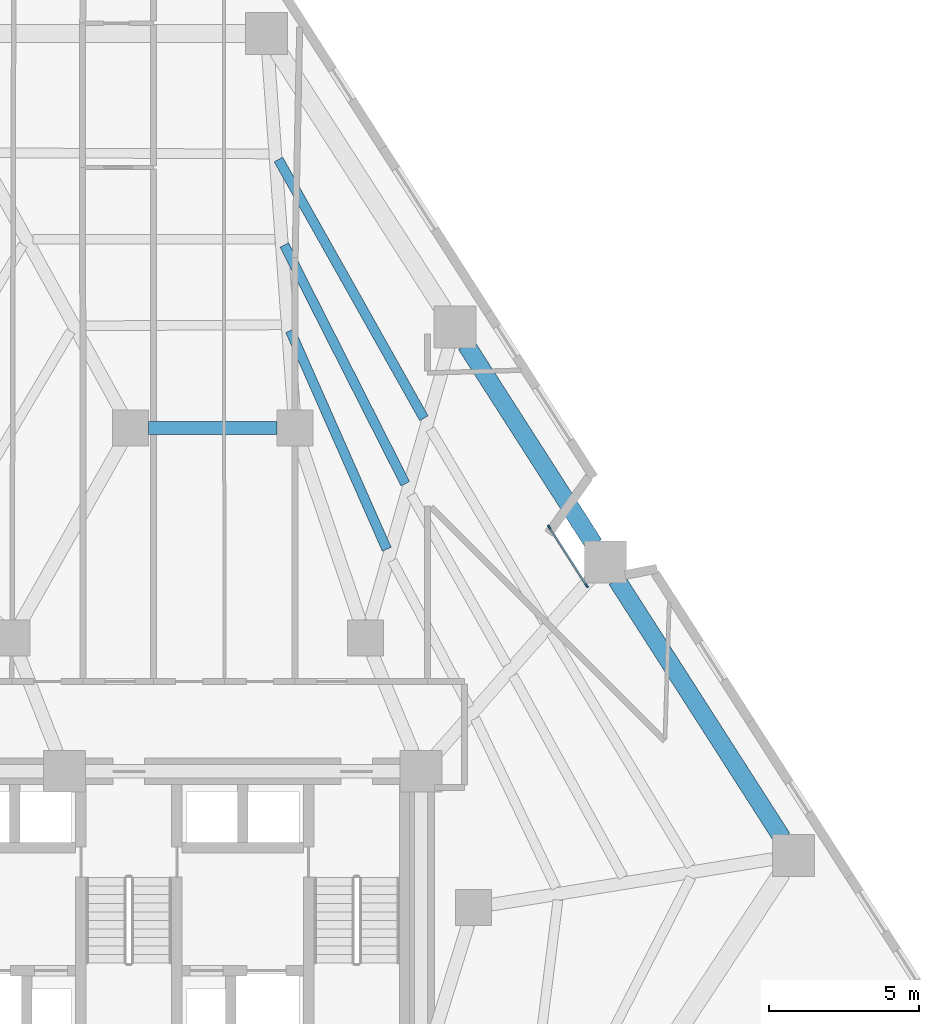
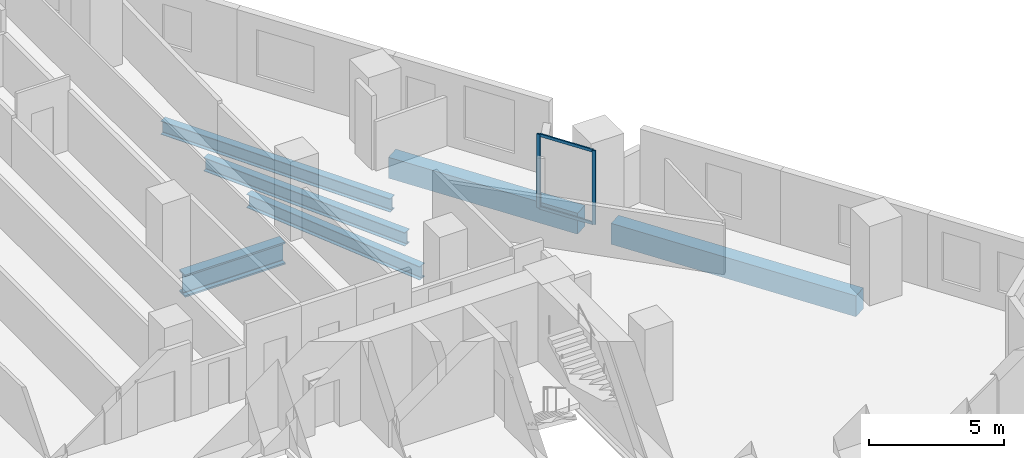
# One storey, part 5 of 14: 6 beams, 4 members, 1 element without a shape of its own.
"""IFC4 building model written with IfcOpenShell, lengths in metres."""

from ifc_helpers import new_model, si_unit, direction, frame, origin, origin_2d, place, context, subcontext, project, spatial, rectangle, i_section, extrude, material, layer, layer_set, material_profile, profile_set, type_object, element, aggregate, save


model = new_model("IFC4")

# Units and contexts
model_context = context("Model", 3, precision=1e-05, world=origin(), true_north=direction((0.0, 1.0)))
body_context = subcontext(model_context, "Body", "Model", "MODEL_VIEW")
ifc_project = project(units=[si_unit("LENGTHUNIT", "METRE"), si_unit("AREAUNIT", "SQUARE_METRE"), si_unit("VOLUMEUNIT", "CUBIC_METRE"), si_unit("PLANEANGLEUNIT", "RADIAN"), si_unit("MASSUNIT", "GRAM", prefix="KILO")], contexts=[model_context])

# Site, building, storey
site_placement = place(None, origin())
site = spatial("IfcSite", under=ifc_project, at=site_placement, CompositionType="ELEMENT")
building_placement = place(site_placement, origin())
building = spatial("IfcBuilding", under=site, at=building_placement, Name="Almagre Mirador Tower", CompositionType="ELEMENT")
storey_placement = place(building_placement, frame((0.0, 0.0, 35.39990234375)))
storey = spatial("IfcBuildingStorey", under=building, at=storey_placement, Name="L07", CompositionType="ELEMENT", Elevation=35.39990234375)

# Beams
ifc_material_1 = material(Name="Steel ASTM A992 Grade 50", Category="steel")
ifc_material_profile_1 = material_profile(ifc_material_1, i_section(OverallWidth=0.323974609375, OverallDepth=0.611083984375, WebThickness=0.0126953125, FlangeThickness=0.01904296875, FilletRadius=0.02001953125, at=origin_2d()), Name="W24X104")
ifc_profile_set_1 = profile_set([ifc_material_profile_1], Name="Steel ASTM A992 Grade 50")
beam_type_1 = type_object("IfcBeamType", Name="BM-JST-W24X104", PredefinedType="JOIST", material=ifc_profile_set_1)
beam_1_placement = place(storey_placement, frame((47.1474609375, 26.530517578125, -0.555419921875), z_axis=(-0.490114956937, 0.871657804982, 0.0), x_axis=(-0.871657804982, -0.490114956937, 0.0)))
element("IfcBeam", 1, at=beam_1_placement, inside=storey, type_object=beam_type_1, Name="L07 secondary floor joist PC07-PC08.1", PredefinedType="JOIST", context=body_context, shape_type="SweptSolid", body=[
    extrude(i_section(OverallWidth=0.323974609375, OverallDepth=0.611083984375, WebThickness=0.0126953125, FlangeThickness=0.01904296875, FilletRadius=0.02001953125, at=origin_2d()), origin(), (0.0, 0.0, 1.0), 9.9052734375),
])
beam_2_placement = place(storey_placement, frame((46.527099609375, 24.34521484375, -0.555419921875), z_axis=(-0.452062838937, 0.891986092746, 0.0), x_axis=(-0.891986092746, -0.452062838937, 0.0)))
element("IfcBeam", 2, at=beam_2_placement, inside=storey, type_object=beam_type_1, Name="L07 secondary floor joist PC07-PC08.2", PredefinedType="JOIST", context=body_context, shape_type="SweptSolid", body=[
    extrude(i_section(OverallWidth=0.323974609375, OverallDepth=0.611083984375, WebThickness=0.0126953125, FlangeThickness=0.01904296875, FilletRadius=0.02001953125, at=origin_2d()), origin(), (0.0, 0.0, 1.0), 8.929443359375),
])
beam_3_placement = place(storey_placement, frame((45.908447265625, 22.160400390625, -0.555419921875), z_axis=(-0.404038153037, 0.914742133549, 0.0), x_axis=(-0.914742133549, -0.404038153037, 0.0)))
element("IfcBeam", 3, at=beam_3_placement, inside=storey, type_object=beam_type_1, Name="L07 secondary floor joist PC07-PC08.3", PredefinedType="JOIST", context=body_context, shape_type="SweptSolid", body=[
    extrude(i_section(OverallWidth=0.323974609375, OverallDepth=0.611083984375, WebThickness=0.0126953125, FlangeThickness=0.01904296875, FilletRadius=0.02001953125, at=origin_2d()), origin(), (0.0, 0.0, 1.0), 7.974365234375),
])
ifc_material_2 = material(Name="Precast concrete C50/60", Category="concrete")
ifc_material_profile_2 = material_profile(ifc_material_2, rectangle(XDim=0.60009765625, YDim=0.949951171875, at=origin_2d()), Name="RC600X950")
ifc_profile_set_2 = profile_set([ifc_material_profile_2], Name="Precast concrete C50/60")
beam_type_2 = type_object("IfcBeamType", Name="BM-SPN-RC600X950", PredefinedType="SPANDREL", material=ifc_profile_set_2)
beam_4_placement = place(storey_placement, frame((59.104248046875, 12.5224609375, -0.724853515625), z_axis=(-0.539549548581, 0.841953849463, 0.0), x_axis=(-0.841953849463, -0.539549548581, 0.0)))
element("IfcBeam", 4, at=beam_4_placement, inside=storey, type_object=beam_type_2, Name="L07 perimeter spandrel beam PC05-PC06", PredefinedType="SPANDREL", context=body_context, shape_type="SweptSolid", body=[
    extrude(rectangle(XDim=0.60009765625, YDim=0.949951171875, at=origin_2d()), origin(), (0.0, 0.0, 1.0), 10.239501953125),
])
beam_5_placement = place(storey_placement, frame((52.82421875, 22.322509765625, -0.724853515625), z_axis=(-0.539540486584, 0.841959656597, 0.0), x_axis=(-0.841959656597, -0.539540486584, 0.0)))
element("IfcBeam", 5, at=beam_5_placement, inside=storey, type_object=beam_type_2, Name="L07 perimeter spandrel beam PC06-PC07", PredefinedType="SPANDREL", context=body_context, shape_type="SweptSolid", body=[
    extrude(rectangle(XDim=0.60009765625, YDim=0.949951171875, at=origin_2d()), origin(), (0.0, 0.0, 1.0), 7.911376953125),
])
ifc_material_3 = material(Name="Steel ASTM A992 Grade 50", Category="steel")
ifc_material_profile_3 = material_profile(ifc_material_3, i_section(OverallWidth=0.43701171875, OverallDepth=1.010986328125, WebThickness=0.041015625, FlangeThickness=0.073974609375, FilletRadius=0.028076171875, at=origin_2d()), Name="W36X529")
ifc_profile_set_3 = profile_set([ifc_material_profile_3], Name="Steel ASTM A992 Grade 50")
beam_type_3 = type_object("IfcBeamType", Name="BM-STL-W36X529", PredefinedType="BEAM", material=ifc_profile_set_3)
beam_6_placement = place(storey_placement, frame((37.949951171875, 26.199951171875, -0.75537109375), z_axis=(1.0, 0.0, 0.0), x_axis=(0.0, 1.0, 0.0)))
element("IfcBeam", 6, at=beam_6_placement, inside=storey, type_object=beam_type_3, Name="L07 core tie girder MC7-MC6", PredefinedType="BEAM", context=body_context, shape_type="SweptSolid", body=[
    extrude(i_section(OverallWidth=0.43701171875, OverallDepth=1.010986328125, WebThickness=0.041015625, FlangeThickness=0.073974609375, FilletRadius=0.028076171875, at=origin_2d()), origin(), (0.0, 0.0, 1.0), 4.300048828125),
])

# Curtain wall, members
ifc_material_4 = material(Name="Black anodized aluminium", Category="aluminium")
ifc_layer = layer(ifc_material_4, 0.169921875)
ifc_layer_set = layer_set([ifc_layer], Name="Black anodized aluminium")
curtain_wall_type = type_object("IfcCurtainWallType", Name="CW-CRS-SYS", PredefinedType="NOTDEFINED", material=ifc_layer_set)
curtain_wall_placement = place(storey_placement, origin())
curtain_wall = element("IfcCurtainWall", 7, at=curtain_wall_placement, inside=storey, type_object=curtain_wall_type, Name="L07 vertical crease curtain wall 03", PredefinedType="NOTDEFINED")
ifc_material_5 = material(Name="Black anodized aluminium", Category="aluminium")
ifc_material_profile_4 = material_profile(ifc_material_5, rectangle(XDim=0.06005859375, YDim=0.14990234375, at=origin_2d()), Name="CWM60X150")
ifc_profile_set_4 = profile_set([ifc_material_profile_4], Name="Black anodized aluminium")
member_type_1 = type_object("IfcMemberType", Name="MBR-CWM60X150", PredefinedType="MULLION", material=ifc_profile_set_4)
member_1_placement = place(storey_placement, frame((51.32958984375, 22.892578125, 0.0), z_axis=(0.0, 0.0, 1.0), x_axis=(0.841762109764, 0.539848636718, 0.0)))
member_1 = element("IfcMember", 8, at=member_1_placement, type_object=member_type_1, Name="CW-4 mullion 1", PredefinedType="MULLION", context=body_context, shape_type="SweptSolid", body=[
    extrude(rectangle(XDim=0.06005859375, YDim=0.14990234375, at=origin_2d()), origin(), (0.0, 0.0, 1.0), 3.35009765625),
])
member_2_placement = place(storey_placement, frame((52.576416015625, 20.948486328125, 0.0), z_axis=(0.0, 0.0, 1.0), x_axis=(0.841762109764, 0.539848636718, 0.0)))
member_2 = element("IfcMember", 9, at=member_2_placement, type_object=member_type_1, Name="CW-4 mullion 2", PredefinedType="MULLION", context=body_context, shape_type="SweptSolid", body=[
    extrude(rectangle(XDim=0.06005859375, YDim=0.14990234375, at=origin_2d()), origin(), (0.0, 0.0, 1.0), 3.35009765625),
])
ifc_material_6 = material(Name="Black anodized aluminium", Category="aluminium")
ifc_material_profile_5 = material_profile(ifc_material_6, rectangle(XDim=0.06005859375, YDim=0.1298828125, at=origin_2d()), Name="CWT60X130")
ifc_profile_set_5 = profile_set([ifc_material_profile_5], Name="Black anodized aluminium")
member_type_2 = type_object("IfcMemberType", Name="MBR-CWT60X130", PredefinedType="USERDEFINED", material=ifc_profile_set_5)
member_3_placement = place(storey_placement, frame((51.345703125, 22.8671875, 0.030029296875), z_axis=(0.539912624717, -0.841721068805, 0.0), x_axis=(0.841721068805, 0.539912624717, 0.0)))
member_3 = element("IfcMember", 10, at=member_3_placement, type_object=member_type_2, Name="CW-4 transom 1.1", ObjectType="TRANSOM", PredefinedType="USERDEFINED", context=body_context, shape_type="SweptSolid", body=[
    extrude(rectangle(XDim=0.06005859375, YDim=0.1298828125, at=origin_2d()), origin(), (0.0, 0.0, 1.0), 2.24951171875),
])
member_4_placement = place(storey_placement, frame((51.345703125, 22.8671875, 3.320068359375), z_axis=(0.539912624717, -0.841721068805, 0.0), x_axis=(0.841721068805, 0.539912624717, 0.0)))
member_4 = element("IfcMember", 11, at=member_4_placement, type_object=member_type_2, Name="CW-4 transom 1.2", ObjectType="TRANSOM", PredefinedType="USERDEFINED", context=body_context, shape_type="SweptSolid", body=[
    extrude(rectangle(XDim=0.06005859375, YDim=0.1298828125, at=origin_2d()), origin(), (0.0, 0.0, 1.0), 2.24951171875),
])
aggregate(curtain_wall, [member_1, member_2, member_3, member_4])

save(model, "model.ifc")
